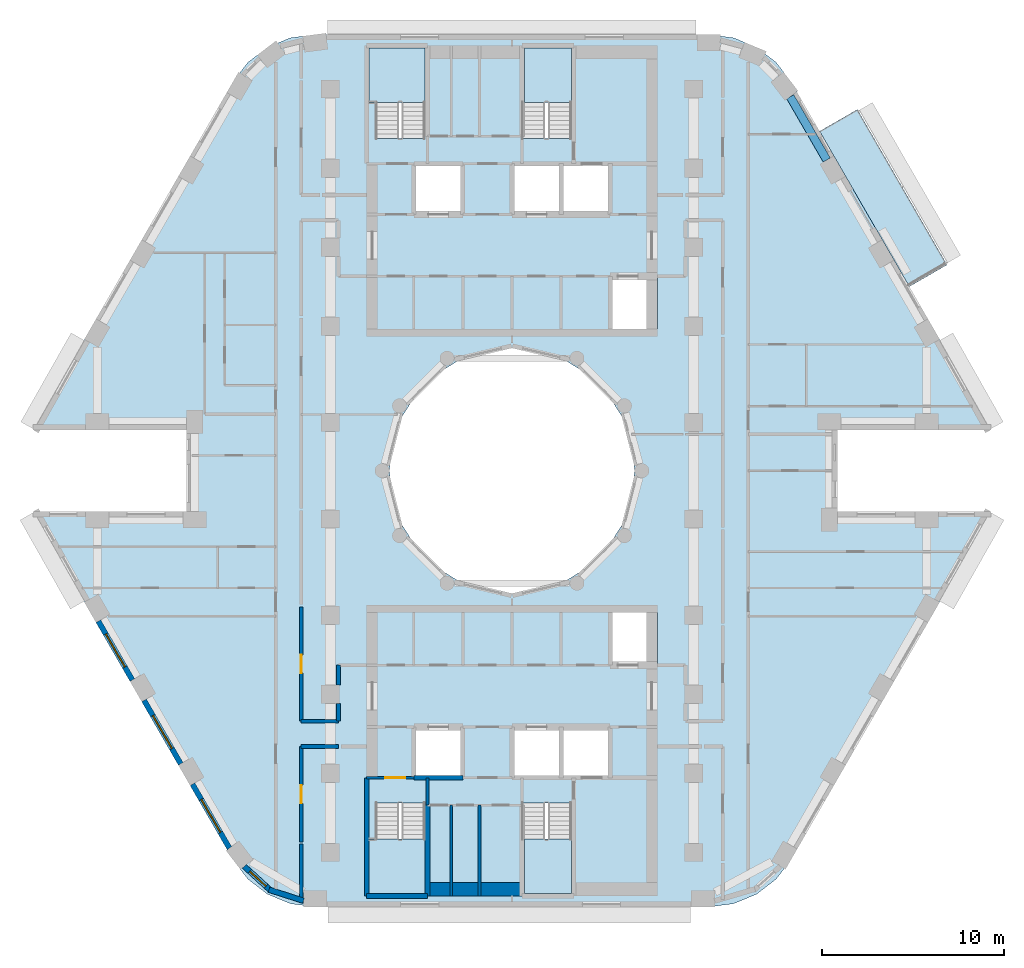
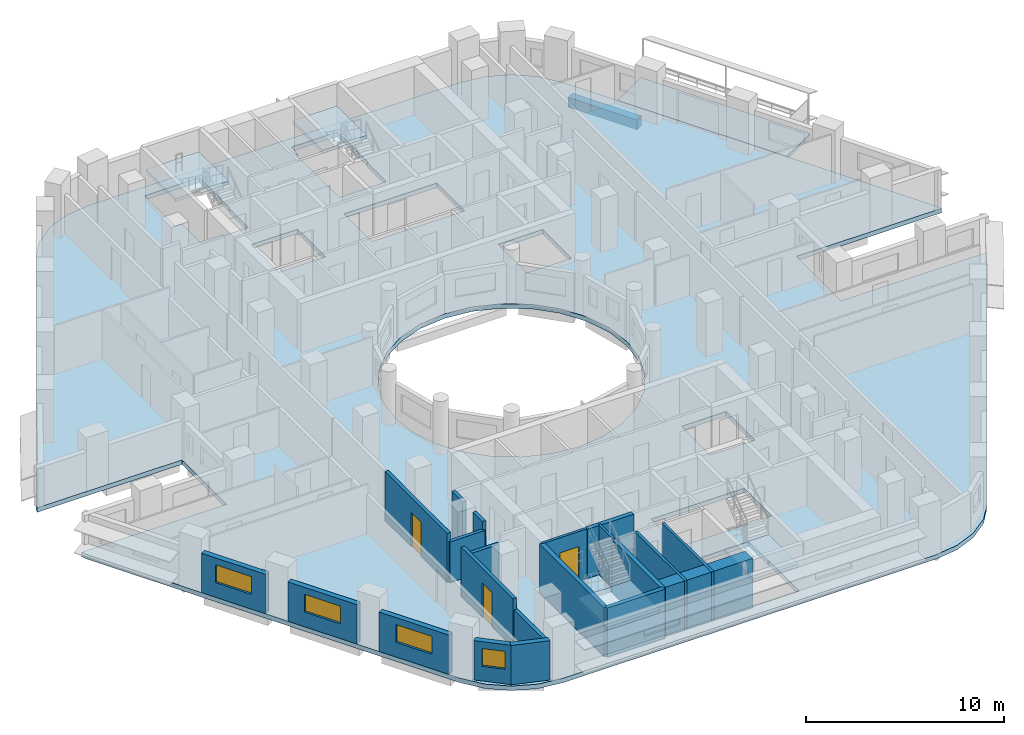
# One storey, part 2 of 14: 21 walls, 6 slabs, 4 windows, 3 doors, 1 beam, 7 openings, 4 elements without a shape of their own.
"""IFC4 building model written with IfcOpenShell, lengths in metres."""

from ifc_helpers import new_model, si_unit, direction, frame, frame_2d, origin, origin_2d, place, context, subcontext, project, spatial, polyline, rectangle, outline, extrude, material, layer, layer_set, material_profile, profile_set, type_object, element, fill, aggregate, save


model = new_model("IFC4")

# Units and contexts
model_context = context("Model", 3, precision=1e-05, world=origin(), true_north=direction((0.0, 1.0)))
body_context = subcontext(model_context, "Body", "Model", "MODEL_VIEW")
ifc_project = project(units=[si_unit("LENGTHUNIT", "METRE"), si_unit("AREAUNIT", "SQUARE_METRE"), si_unit("VOLUMEUNIT", "CUBIC_METRE"), si_unit("PLANEANGLEUNIT", "RADIAN"), si_unit("MASSUNIT", "GRAM", prefix="KILO")], contexts=[model_context])

# Site, building, storey
site_placement = place(None, origin())
site = spatial("IfcSite", under=ifc_project, at=site_placement, CompositionType="ELEMENT")
building_placement = place(site_placement, origin())
building = spatial("IfcBuilding", under=site, at=building_placement, Name="Nakaniwa Court", CompositionType="ELEMENT")
storey_placement = place(building_placement, frame((0.0, 0.0, 160.199951171875)))
storey = spatial("IfcBuildingStorey", under=building, at=storey_placement, Name="L42", CompositionType="ELEMENT", Elevation=160.199951171875)

# Beam
ifc_material_1 = material(Name="Concrete C80/100", Category="concrete")
ifc_material_profile = material_profile(ifc_material_1, rectangle(XDim=0.449951171875, YDim=0.60009765625, at=origin_2d()), Name="Concrete C80/100 RC 450x600 spandrel beam")
ifc_profile_set = profile_set([ifc_material_profile], Name="Concrete C80/100")
beam_type = type_object("IfcBeamType", Name="Concrete C80/100 RC 450x600 spandrel beam", PredefinedType="BEAM", material=ifc_profile_set)
beam_placement = place(storey_placement, frame((97.320556640625, 97.10009765625, -0.574951171875), z_axis=(-0.500018573463, 0.866014680125, 0.0), x_axis=(-0.866014680125, -0.500018573463, 0.0)))
element("IfcBeam", 1, at=beam_placement, inside=storey, type_object=beam_type, Name="SPANDREL BEAM", PredefinedType="BEAM", context=body_context, shape_type="SweptSolid", body=[
    extrude(rectangle(XDim=0.449951171875, YDim=0.60009765625, at=origin_2d()), origin(), (0.0, 0.0, 1.0), 4.020263671875),
])

# Slabs
ifc_material_2 = material(Name="Charcoal ceramic paver")
ifc_layer_1 = layer(ifc_material_2, 0.02, Name="Ceramic paver")
ifc_material_3 = material(Name="Cement sand screed")
ifc_layer_2 = layer(ifc_material_3, 0.03, Name="Falls screed")
ifc_material_4 = material(Name="Concrete C40/50", Category="concrete")
ifc_layer_3 = layer(ifc_material_4, 0.15, Name="Balcony slab")
ifc_layer_set_1 = layer_set([ifc_layer_1, ifc_layer_2, ifc_layer_3], Name="Concrete C40/50 balcony slab with ceramic paver finish")
slab_type_1 = type_object("IfcSlabType", Name="Balcony slab 200", PredefinedType="FLOOR", material=ifc_layer_set_1)
slab_1_placement = place(storey_placement, frame((0.0, 0.0, -0.25)))
element("IfcSlab", 2, at=slab_1_placement, inside=storey, type_object=slab_type_1, Name="L42 balcony 01", PredefinedType="FLOOR", context=body_context, shape_type="SweptSolid", body=[
    extrude(outline(polyline([(101.86328125, 90.1318359375), (96.927734375, 98.680419921875), (99.006103515625, 99.88037109375), (103.941650390625, 91.331787109375), (101.86328125, 90.1318359375)])), origin(), (0.0, 0.0, 1.0), 0.199951171875),
])
ifc_layer_4 = layer(ifc_material_1, 0.27490234375)
ifc_layer_set_2 = layer_set([ifc_layer_4], Name="Concrete C80/100")
slab_type_2 = type_object("IfcSlabType", Name="Concrete C80/100 post tensioned floor slab 275", PredefinedType="FLOOR", material=ifc_layer_set_2)
slab_2_placement = place(storey_placement, frame((0.0, 0.0, -0.27490234375)))
element("IfcSlab", 3, at=slab_2_placement, inside=storey, type_object=slab_type_2, Name="FLOOR SLAB", PredefinedType="FLOOR", context=body_context, shape_type="SweptSolid", body=[
    extrude(outline(polyline([(97.908447265625, 82.25), (106.356689453125, 82.25), (106.211669921875, 82.60009765625), (95.357421875, 101.39990234375), (94.531005859375, 102.47705078125), (93.4541015625, 103.30322265625), (92.199951171875, 103.82275390625), (90.854248046875, 104.0), (69.145751953125, 104.0), (67.800048828125, 103.82275390625), (66.5458984375, 103.30322265625), (65.468994140625, 102.47705078125), (64.642578125, 101.39990234375), (53.788330078125, 82.60009765625), (53.643310546875, 82.25), (62.091552734375, 82.25), (62.091552734375, 77.75), (53.643310546875, 77.75), (53.788330078125, 77.39990234375), (64.642578125, 58.60009765625), (65.468994140625, 57.52294921875), (66.5458984375, 56.69677734375), (67.800048828125, 56.17724609375), (69.145751953125, 56.0), (90.854248046875, 56.0), (92.199951171875, 56.17724609375), (93.4541015625, 56.69677734375), (94.531005859375, 57.52294921875), (95.357421875, 58.60009765625), (106.211669921875, 77.39990234375), (106.356689453125, 77.75), (97.908447265625, 77.75), (97.908447265625, 82.25)]), holes=[polyline([(81.501953125, 86.580810546875), (80.0, 86.75), (78.498046875, 86.580810546875), (77.0712890625, 86.08154296875), (75.79150390625, 85.27734375), (74.72265625, 84.20849609375), (73.91845703125, 82.9287109375), (73.419189453125, 81.501953125), (73.25, 80.0), (73.419189453125, 78.498046875), (73.91845703125, 77.0712890625), (74.72265625, 75.79150390625), (75.79150390625, 74.72265625), (77.0712890625, 73.91845703125), (78.498046875, 73.419189453125), (80.0, 73.25), (81.501953125, 73.419189453125), (82.9287109375, 73.91845703125), (84.20849609375, 74.72265625), (85.27734375, 75.79150390625), (86.08154296875, 77.0712890625), (86.580810546875, 78.498046875), (86.75, 80.0), (86.580810546875, 81.501953125), (86.08154296875, 82.9287109375), (85.27734375, 84.20849609375), (84.20849609375, 85.27734375), (82.9287109375, 86.08154296875), (81.501953125, 86.580810546875)]), polyline([(72.47509765625, 61.7099609375), (72.47509765625, 59.764892578125), (72.0849609375, 59.764892578125), (72.0849609375, 56.68505859375), (75.264892578125, 56.68505859375), (75.264892578125, 59.764892578125), (75.22509765625, 59.764892578125), (75.22509765625, 61.7099609375), (72.47509765625, 61.7099609375)]), polyline([(77.300048828125, 65.89990234375), (74.60009765625, 65.89990234375), (74.60009765625, 63.10009765625), (77.300048828125, 63.10009765625), (77.300048828125, 65.89990234375)]), polyline([(80.0, 65.89990234375), (80.0, 63.10009765625), (82.699951171875, 63.10009765625), (85.39990234375, 63.10009765625), (85.39990234375, 65.89990234375), (82.699951171875, 65.89990234375), (80.0, 65.89990234375)]), polyline([(77.300048828125, 96.89990234375), (74.60009765625, 96.89990234375), (74.60009765625, 94.10009765625), (77.300048828125, 94.10009765625), (77.300048828125, 96.89990234375)]), polyline([(80.0, 96.89990234375), (80.0, 94.10009765625), (82.699951171875, 94.10009765625), (85.39990234375, 94.10009765625), (85.39990234375, 96.89990234375), (82.699951171875, 96.89990234375), (80.0, 96.89990234375)]), polyline([(75.264892578125, 100.235107421875), (75.264892578125, 103.31494140625), (72.0849609375, 103.31494140625), (72.0849609375, 100.235107421875), (72.47509765625, 100.235107421875), (72.47509765625, 98.2900390625), (75.22509765625, 98.2900390625), (75.22509765625, 100.235107421875), (75.264892578125, 100.235107421875)]), polyline([(83.27490234375, 61.7099609375), (80.52490234375, 61.7099609375), (80.52490234375, 57.324951171875), (80.635009765625, 57.324951171875), (80.635009765625, 56.68505859375), (83.31494140625, 56.68505859375), (83.31494140625, 59.764892578125), (83.27490234375, 59.764892578125), (83.27490234375, 61.7099609375)]), polyline([(88.0, 72.199951171875), (85.39990234375, 72.199951171875), (85.39990234375, 69.300048828125), (88.0, 69.300048828125), (88.0, 72.199951171875)]), polyline([(88.0, 90.699951171875), (85.39990234375, 90.699951171875), (85.39990234375, 87.800048828125), (88.0, 87.800048828125), (88.0, 90.699951171875)]), polyline([(83.31494140625, 100.235107421875), (83.31494140625, 103.31494140625), (80.635009765625, 103.31494140625), (80.635009765625, 102.675048828125), (80.52490234375, 102.675048828125), (80.52490234375, 98.2900390625), (83.27490234375, 98.2900390625), (83.27490234375, 100.235107421875), (83.31494140625, 100.235107421875)])]), origin(), (0.0, 0.0, 1.0), 0.27490234375),
])

# Stair, slab
stair_type = type_object("IfcStairType", Name="Dog leg stair 1300 wide 18 risers", PredefinedType="HALF_TURN_STAIR", material=ifc_material_1)
stair_1_placement = place(storey_placement, origin())
stair_1 = element("IfcStair", 4, at=stair_1_placement, inside=storey, type_object=stair_type, Name="L42 Stair ST1", PredefinedType="HALF_TURN_STAIR")
ifc_layer_5 = layer(ifc_material_1, 0.199951171875)
ifc_layer_set_3 = layer_set([ifc_layer_5], Name="Concrete C80/100")
slab_type_3 = type_object("IfcSlabType", Name="Stair landing concrete", PredefinedType="LANDING", material=ifc_layer_set_3)
slab_3_placement = place(storey_placement, frame((0.0, 0.0, 1.449951171875)))
slab_3 = element("IfcSlab", 5, at=slab_3_placement, type_object=slab_type_3, Name="ST1 landing 1", PredefinedType="LANDING", context=body_context, shape_type="SweptSolid", body=[
    extrude(outline(polyline([(75.22509765625, 100.27490234375), (75.22509765625, 103.27490234375), (72.125, 103.27490234375), (72.125, 100.27490234375), (75.22509765625, 100.27490234375)])), origin(), (0.0, 0.0, 1.0), 0.2001953125),
])
aggregate(stair_1, [slab_3])

stair_2_placement = place(storey_placement, origin())
stair_2 = element("IfcStair", 6, at=stair_2_placement, inside=storey, type_object=stair_type, Name="L42 Stair ST2", PredefinedType="HALF_TURN_STAIR")
slab_4_placement = place(storey_placement, frame((0.0, 0.0, 1.449951171875)))
slab_4 = element("IfcSlab", 7, at=slab_4_placement, type_object=slab_type_3, Name="ST2 landing 1", PredefinedType="LANDING", context=body_context, shape_type="SweptSolid", body=[
    extrude(outline(polyline([(83.27490234375, 100.27490234375), (83.27490234375, 103.27490234375), (80.675048828125, 103.27490234375), (80.675048828125, 100.27490234375), (83.27490234375, 100.27490234375)])), origin(), (0.0, 0.0, 1.0), 0.2001953125),
])
aggregate(stair_2, [slab_4])

stair_3_placement = place(storey_placement, origin())
stair_3 = element("IfcStair", 8, at=stair_3_placement, inside=storey, type_object=stair_type, Name="L42 Stair ST3", PredefinedType="HALF_TURN_STAIR")
slab_5_placement = place(storey_placement, frame((0.0, 0.0, 1.449951171875)))
slab_5 = element("IfcSlab", 9, at=slab_5_placement, type_object=slab_type_3, Name="ST3 landing 1", PredefinedType="LANDING", context=body_context, shape_type="SweptSolid", body=[
    extrude(outline(polyline([(75.22509765625, 56.72509765625), (75.22509765625, 59.72509765625), (72.125, 59.72509765625), (72.125, 56.72509765625), (75.22509765625, 56.72509765625)])), origin(), (0.0, 0.0, 1.0), 0.2001953125),
])
aggregate(stair_3, [slab_5])

stair_4_placement = place(storey_placement, origin())
stair_4 = element("IfcStair", 10, at=stair_4_placement, inside=storey, type_object=stair_type, Name="L42 Stair ST4", PredefinedType="HALF_TURN_STAIR")
slab_6_placement = place(storey_placement, frame((0.0, 0.0, 1.449951171875)))
slab_6 = element("IfcSlab", 11, at=slab_6_placement, type_object=slab_type_3, Name="ST4 landing 1", PredefinedType="LANDING", context=body_context, shape_type="SweptSolid", body=[
    extrude(outline(polyline([(83.27490234375, 56.72509765625), (83.27490234375, 59.72509765625), (80.675048828125, 59.72509765625), (80.675048828125, 56.72509765625), (83.27490234375, 56.72509765625)])), origin(), (0.0, 0.0, 1.0), 0.2001953125),
])
aggregate(stair_4, [slab_6])

# Walls
ifc_material_5 = material(Name="Acoustic double stud partition")
ifc_layer_6 = layer(ifc_material_5, 0.199951171875)
ifc_layer_set_4 = layer_set([ifc_layer_6], Name="Acoustic double stud partition")
wall_type_1 = type_object("IfcWallType", Name="Acoustic double stud partition 200", PredefinedType="PARTITIONING", material=ifc_layer_set_4)
wall_1_placement = place(storey_placement, frame((68.39990234375, 64.824951171875, 0.0), z_axis=(0.0, 0.0, 1.0), x_axis=(1.0, 0.0, 0.0)))
element("IfcWall", 12, at=wall_1_placement, inside=storey, type_object=wall_type_1, Name="Partition PW-081", PredefinedType="PARTITIONING", context=body_context, shape_type="SweptSolid", body=[
    extrude(rectangle(XDim=2.06298828125, YDim=0.199951171875, at=frame_2d((1.031494140625, 0.0))), origin(), (0.0, 0.0, 1.0), 2.505126953125),
])
wall_2_placement = place(storey_placement, frame((68.39990234375, 66.22509765625, 0.0), z_axis=(0.0, 0.0, 1.0), x_axis=(1.0, 0.0, 0.0)))
element("IfcWall", 13, at=wall_2_placement, inside=storey, type_object=wall_type_1, Name="Partition PW-092", PredefinedType="PARTITIONING", context=body_context, shape_type="SweptSolid", body=[
    extrude(rectangle(XDim=2.050048828125, YDim=0.199951171875, at=frame_2d((1.02490234375, 0.0))), origin(), (0.0, 0.0, 1.0), 2.505126953125),
])
wall_3_placement = place(storey_placement, frame((68.39990234375, 56.40087890625, 0.0), z_axis=(0.0, 0.0, 1.0), x_axis=(0.0, 1.0, 0.0)))
element("IfcWall", 14, at=wall_3_placement, inside=storey, type_object=wall_type_1, Name="Partition PW-102", PredefinedType="PARTITIONING", context=body_context, shape_type="SweptSolid", body=[
    extrude(rectangle(XDim=3.06201171875, YDim=0.199951171875, at=frame_2d((1.531005859375, 0.0))), origin(), (0.0, 0.0, 1.0), 2.405029296875),
])

# Wall, opening, door
wall_4_placement = place(storey_placement, frame((68.39990234375, 64.824951171875, 0.0), z_axis=(0.0, 0.0, 1.0), x_axis=(0.0, -1.0, 0.0)))
wall_4 = element("IfcWall", 15, at=wall_4_placement, inside=storey, type_object=wall_type_1, Name="Partition PW-103", PredefinedType="PARTITIONING", context=body_context, shape_type="SweptSolid", body=[
    extrude(rectangle(XDim=5.247802734375, YDim=0.199951171875, at=frame_2d((2.6240234375, 0.0))), origin(), (0.0, 0.0, 1.0), 3.025146484375),
])
opening_1_placement = place(wall_4_placement, frame((2.123046875, 0.0, 0.0)))
opening_1 = element("IfcOpeningElement", 16, at=opening_1_placement, cuts=wall_4, Name="Opening D-02-04", PredefinedType="OPENING", context=body_context, shape_type="SweptSolid", body=[
    extrude(rectangle(XDim=1.0, YDim=2.10009765625, at=frame_2d((0.5, 1.050048828125))), frame((0.0, 0.10986328125, 0.0), z_axis=(0.0, -1.0, 0.0), x_axis=(1.0, 0.0, 0.0)), (0.0, 0.0, 1.0), 0.219970703125),
])
ifc_material_6 = material(Name="Solid core timber door set, black veneer", Category="wood")
door_type_1 = type_object("IfcDoorType", Name="Internal door 1000", OperationType="NOTDEFINED", PredefinedType="DOOR", material=ifc_material_6)
door_1_placement = place(opening_1_placement, origin())
door_1 = element("IfcDoor", 17, at=door_1_placement, inside=storey, type_object=door_type_1, Name="Door D-02-04 L42-041", OperationType="SINGLE_SWING_RIGHT", OverallHeight=2.10009765625, OverallWidth=1.0, PredefinedType="DOOR", context=body_context, shape_type="SweptSolid", body=[
    extrude(rectangle(XDim=1.0, YDim=2.10009765625, at=frame_2d((0.5, 1.050048828125))), frame((0.0, 0.02490234375, 0.0), z_axis=(0.0, -1.0, 0.0), x_axis=(1.0, 0.0, 0.0)), (0.0, 0.0, 1.0), 0.050048828125),
])
fill(opening_1, door_1)

wall_5_placement = place(storey_placement, frame((68.39990234375, 72.5126953125, 0.0), z_axis=(0.0, 0.0, 1.0), x_axis=(0.0, -1.0, 0.0)))
wall_5 = element("IfcWall", 18, at=wall_5_placement, inside=storey, type_object=wall_type_1, Name="Partition PW-104", PredefinedType="PARTITIONING", context=body_context, shape_type="SweptSolid", body=[
    extrude(rectangle(XDim=6.28759765625, YDim=0.199951171875, at=frame_2d((3.143798828125, 0.0))), origin(), (0.0, 0.0, 1.0), 3.025146484375),
])
opening_2_placement = place(wall_5_placement, frame((2.64501953125, 0.0, 0.0)))
opening_2 = element("IfcOpeningElement", 19, at=opening_2_placement, cuts=wall_5, Name="Opening D-02-06", PredefinedType="OPENING", context=body_context, shape_type="SweptSolid", body=[
    extrude(rectangle(XDim=1.0, YDim=2.10009765625, at=frame_2d((0.5, 1.050048828125))), frame((0.0, 0.10986328125, 0.0), z_axis=(0.0, -1.0, 0.0), x_axis=(1.0, 0.0, 0.0)), (0.0, 0.0, 1.0), 0.219970703125),
])
door_2_placement = place(opening_2_placement, origin())
door_2 = element("IfcDoor", 20, at=door_2_placement, inside=storey, type_object=door_type_1, Name="Door D-02-06 L42-043", OperationType="SINGLE_SWING_RIGHT", OverallHeight=2.10009765625, OverallWidth=1.0, PredefinedType="DOOR", context=body_context, shape_type="SweptSolid", body=[
    extrude(rectangle(XDim=1.0, YDim=2.10009765625, at=frame_2d((0.5, 1.050048828125))), frame((0.0, 0.02490234375, 0.0), z_axis=(0.0, -1.0, 0.0), x_axis=(1.0, 0.0, 0.0)), (0.0, 0.0, 1.0), 0.050048828125),
])
fill(opening_2, door_2)

# Walls
wall_6_placement = place(storey_placement, frame((70.449951171875, 66.22509765625, 0.0), z_axis=(0.0, 0.0, 1.0), x_axis=(0.0, 1.0, 0.0)))
element("IfcWall", 21, at=wall_6_placement, inside=storey, type_object=wall_type_1, Name="Partition PW-111", PredefinedType="PARTITIONING", context=body_context, shape_type="SweptSolid", body=[
    extrude(rectangle(XDim=0.957763671875, YDim=0.199951171875, at=frame_2d((0.47900390625, 0.0))), origin(), (0.0, 0.0, 1.0), 3.025146484375),
])
wall_7_placement = place(storey_placement, frame((70.449951171875, 68.21728515625, 0.0), z_axis=(0.0, 0.0, 1.0), x_axis=(0.0, 1.0, 0.0)))
element("IfcWall", 22, at=wall_7_placement, inside=storey, type_object=wall_type_1, Name="Partition PW-112", PredefinedType="PARTITIONING", context=body_context, shape_type="SweptSolid", body=[
    extrude(rectangle(XDim=1.082763671875, YDim=0.199951171875, at=frame_2d((0.54150390625, 0.0))), origin(), (0.0, 0.0, 1.0), 3.025146484375),
])

# Wall, opening, window
ifc_material_7 = material(Name="Charcoal ceramic cladding")
ifc_layer_7 = layer(ifc_material_7, 0.02, Name="Ceramic cladding")
ifc_material_8 = material(Name="Ventilated air cavity")
ifc_layer_8 = layer(ifc_material_8, 0.04, ventilated=True, Name="Ventilated cavity")
ifc_material_9 = material(Name="Mineral wool insulation")
ifc_layer_9 = layer(ifc_material_9, 0.1, Name="Insulation")
ifc_material_10 = material(Name="Cement bonded sheathing board")
ifc_layer_10 = layer(ifc_material_10, 0.012, Name="Sheathing")
ifc_material_11 = material(Name="Cold-formed galvanised stud frame with mineral wool infill")
ifc_layer_11 = layer(ifc_material_11, 0.1, Name="Stud frame")
ifc_material_12 = material(Name="Fire-rated gypsum plasterboard lining")
ifc_layer_12 = layer(ifc_material_12, 0.028, Name="Lining")
ifc_layer_set_5 = layer_set([ifc_layer_7, ifc_layer_8, ifc_layer_9, ifc_layer_10, ifc_layer_11, ifc_layer_12], Name="Charcoal ceramic faced external wall system")
wall_type_2 = type_object("IfcWallType", Name="Black ceramic faced external wall 300", PredefinedType="SOLIDWALL", material=ifc_layer_set_5)
wall_8_placement = place(storey_placement, frame((57.240478515625, 71.720947265625, 0.0), z_axis=(0.0, 0.0, 1.0), x_axis=(0.499933594891, -0.866063739398, 0.0)))
wall_8 = element("IfcWall", 23, at=wall_8_placement, inside=storey, type_object=wall_type_2, Name="L42 external wall 21", PredefinedType="SOLIDWALL", context=body_context, shape_type="SweptSolid", body=[
    extrude(rectangle(XDim=3.73681640625, YDim=0.300048828125, at=frame_2d((1.868408203125, 0.0))), origin(), (0.0, 0.0, 1.0), 2.425048828125),
])
opening_3_placement = place(wall_8_placement, frame((0.818359375, 0.0, 0.89990234375)))
opening_3 = element("IfcOpeningElement", 24, at=opening_3_placement, cuts=wall_8, Name="Opening W7.19", PredefinedType="OPENING", context=body_context, shape_type="SweptSolid", body=[
    extrude(rectangle(XDim=2.10009765625, YDim=1.10009765625, at=frame_2d((1.050048828125, 0.550048828125))), frame((0.0, 0.159912109375, 0.0), z_axis=(0.0, -1.0, 0.0), x_axis=(1.0, 0.0, 0.0)), (0.0, 0.0, 1.0), 0.320068359375),
])
ifc_material_13 = material(Name="Black anodised aluminium frame with dark low-E laminated double glazing", Category="aluminium")
window_type_1 = type_object("IfcWindowType", Name="Dark glass window 2100x1100 sill 900", PartitioningType="SINGLE_PANEL", PredefinedType="WINDOW", material=ifc_material_13)
window_1_placement = place(opening_3_placement, origin())
window_1 = element("IfcWindow", 25, at=window_1_placement, inside=storey, type_object=window_type_1, Name="L42 habitable room window 21-0", OverallHeight=1.10009765625, OverallWidth=2.10009765625, PartitioningType="SINGLE_PANEL", PredefinedType="WINDOW", context=body_context, shape_type="SweptSolid", body=[
    extrude(rectangle(XDim=2.10009765625, YDim=1.10009765625, at=frame_2d((1.050048828125, 0.550048828125))), frame((0.0, 0.030029296875, 0.0), z_axis=(0.0, -1.0, 0.0), x_axis=(1.0, 0.0, 0.0)), (0.0, 0.0, 1.0), 0.06005859375),
])
fill(opening_3, window_1)

wall_9_placement = place(storey_placement, frame((59.754638671875, 67.36572265625, 0.0), z_axis=(0.0, 0.0, 1.0), x_axis=(0.500031546601, -0.86600718958, 0.0)))
wall_9 = element("IfcWall", 26, at=wall_9_placement, inside=storey, type_object=wall_type_2, Name="L42 external wall 22", PredefinedType="SOLIDWALL", context=body_context, shape_type="SweptSolid", body=[
    extrude(rectangle(XDim=4.033935546875, YDim=0.300048828125, at=frame_2d((2.01708984375, 0.0))), origin(), (0.0, 0.0, 1.0), 2.425048828125),
])
opening_4_placement = place(wall_9_placement, frame((0.966796875, 0.0, 0.89990234375)))
opening_4 = element("IfcOpeningElement", 27, at=opening_4_placement, cuts=wall_9, Name="Opening W7.20", PredefinedType="OPENING", context=body_context, shape_type="SweptSolid", body=[
    extrude(rectangle(XDim=2.10009765625, YDim=1.10009765625, at=frame_2d((1.050048828125, 0.550048828125))), frame((0.0, 0.159912109375, 0.0), z_axis=(0.0, -1.0, 0.0), x_axis=(1.0, 0.0, 0.0)), (0.0, 0.0, 1.0), 0.320068359375),
])
window_2_placement = place(opening_4_placement, origin())
window_2 = element("IfcWindow", 28, at=window_2_placement, inside=storey, type_object=window_type_1, Name="L42 habitable room window 22-0", OverallHeight=1.10009765625, OverallWidth=2.10009765625, PartitioningType="SINGLE_PANEL", PredefinedType="WINDOW", context=body_context, shape_type="SweptSolid", body=[
    extrude(rectangle(XDim=2.10009765625, YDim=1.10009765625, at=frame_2d((1.050048828125, 0.550048828125))), frame((0.0, 0.030029296875, 0.0), z_axis=(0.0, -1.0, 0.0), x_axis=(1.0, 0.0, 0.0)), (0.0, 0.0, 1.0), 0.06005859375),
])
fill(opening_4, window_2)

wall_10_placement = place(storey_placement, frame((62.417724609375, 62.75341796875, 0.0), z_axis=(0.0, 0.0, 1.0), x_axis=(0.500018589245, -0.866014671013, 0.0)))
wall_10 = element("IfcWall", 29, at=wall_10_placement, inside=storey, type_object=wall_type_2, Name="L42 external wall 23", PredefinedType="SOLIDWALL", context=body_context, shape_type="SweptSolid", body=[
    extrude(rectangle(XDim=4.067626953125, YDim=0.300048828125, at=frame_2d((2.03369140625, 0.0))), origin(), (0.0, 0.0, 1.0), 2.425048828125),
])
opening_5_placement = place(wall_10_placement, frame((0.97265625, 0.0, 0.89990234375)))
opening_5 = element("IfcOpeningElement", 30, at=opening_5_placement, cuts=wall_10, Name="Opening W7.21", PredefinedType="OPENING", context=body_context, shape_type="SweptSolid", body=[
    extrude(rectangle(XDim=2.10009765625, YDim=1.10009765625, at=frame_2d((1.050048828125, 0.550048828125))), frame((0.0, 0.159912109375, 0.0), z_axis=(0.0, -1.0, 0.0), x_axis=(1.0, 0.0, 0.0)), (0.0, 0.0, 1.0), 0.320068359375),
])
window_3_placement = place(opening_5_placement, origin())
window_3 = element("IfcWindow", 31, at=window_3_placement, inside=storey, type_object=window_type_1, Name="L42 habitable room window 23-0", OverallHeight=1.10009765625, OverallWidth=2.10009765625, PartitioningType="SINGLE_PANEL", PredefinedType="WINDOW", context=body_context, shape_type="SweptSolid", body=[
    extrude(rectangle(XDim=2.10009765625, YDim=1.10009765625, at=frame_2d((1.050048828125, 0.550048828125))), frame((0.0, 0.030029296875, 0.0), z_axis=(0.0, -1.0, 0.0), x_axis=(1.0, 0.0, 0.0)), (0.0, 0.0, 1.0), 0.06005859375),
])
fill(opening_5, window_3)

wall_11_placement = place(storey_placement, frame((65.26904296875, 58.229248046875, 0.0), z_axis=(0.0, 0.0, 1.0), x_axis=(0.737487298625, -0.675361002995, 0.0)))
wall_11 = element("IfcWall", 32, at=wall_11_placement, inside=storey, type_object=wall_type_2, Name="L42 external wall 24", PredefinedType="SOLIDWALL", context=body_context, shape_type="SweptSolid", body=[
    extrude(rectangle(XDim=1.9765625, YDim=0.300048828125, at=frame_2d((0.98828125, 0.0))), origin(), (0.0, 0.0, 1.0), 2.425048828125),
])
opening_6_placement = place(wall_11_placement, frame((0.415283203125, 0.0, 0.89990234375)))
opening_6 = element("IfcOpeningElement", 33, at=opening_6_placement, cuts=wall_11, Name="Opening W6.22", PredefinedType="OPENING", context=body_context, shape_type="SweptSolid", body=[
    extrude(rectangle(XDim=1.199951171875, YDim=1.10009765625, at=frame_2d((0.60009765625, 0.550048828125))), frame((0.0, 0.159912109375, 0.0), z_axis=(0.0, -1.0, 0.0), x_axis=(1.0, 0.0, 0.0)), (0.0, 0.0, 1.0), 0.320068359375),
])
window_type_2 = type_object("IfcWindowType", Name="Dark glass window 1200x1100 sill 900", PartitioningType="SINGLE_PANEL", PredefinedType="WINDOW", material=ifc_material_13)
window_4_placement = place(opening_6_placement, origin())
window_4 = element("IfcWindow", 34, at=window_4_placement, inside=storey, type_object=window_type_2, Name="L42 habitable room window 24-0", OverallHeight=1.10009765625, OverallWidth=1.199951171875, PartitioningType="SINGLE_PANEL", PredefinedType="WINDOW", context=body_context, shape_type="SweptSolid", body=[
    extrude(rectangle(XDim=1.199951171875, YDim=1.10009765625, at=frame_2d((0.60009765625, 0.550048828125))), frame((0.0, 0.030029296875, 0.0), z_axis=(0.0, -1.0, 0.0), x_axis=(1.0, 0.0, 0.0)), (0.0, 0.0, 1.0), 0.06005859375),
])
fill(opening_6, window_4)

# Walls
wall_12_placement = place(storey_placement, frame((66.625732421875, 56.94580078125, 0.0), z_axis=(0.0, 0.0, 1.0), x_axis=(0.952201240673, -0.305471434444, 0.0)))
element("IfcWall", 35, at=wall_12_placement, inside=storey, type_object=wall_type_2, Name="L42 external wall 25", PredefinedType="SOLIDWALL", context=body_context, shape_type="SweptSolid", body=[
    extrude(rectangle(XDim=1.998779296875, YDim=0.300048828125, at=frame_2d((0.99951171875, 0.0))), origin(), (0.0, 0.0, 1.0), 2.425048828125),
])
ifc_material_14 = material(Name="Blockwork partition", Category="masonry")
ifc_layer_13 = layer(ifc_material_14, 0.14990234375)
ifc_layer_set_6 = layer_set([ifc_layer_13], Name="Blockwork partition")
wall_type_3 = type_object("IfcWallType", Name="Blockwork partition 150", PredefinedType="PARTITIONING", material=ifc_layer_set_6)
for number, where, z_axis, x_axis, name in (
    (36, (76.64990234375, 56.60009765625, 0.0), (0.0, 0.0, 1.0), (0.0, 1.0, 0.0), "Partition PW-071"),
    (37, (78.2099609375, 56.60009765625, 0.0), (0.0, 0.0, 1.0), (0.0, 1.0, 0.0), "Partition PW-072"),
):
    element("IfcWall", number, at=place(storey_placement, frame(where, z_axis=z_axis, x_axis=x_axis)), inside=storey, type_object=wall_type_3, Name=name, PredefinedType="PARTITIONING", context=body_context, shape_type="SweptSolid", body=[
        extrude(rectangle(XDim=5.0, YDim=0.14990234375, at=frame_2d((2.5, 0.0))), origin(), (0.0, 0.0, 1.0), 3.025146484375),
    ])

# Wall, opening, door
ifc_layer_14 = layer(ifc_material_1, 0.14990234375)
ifc_layer_set_7 = layer_set([ifc_layer_14], Name="Concrete C80/100")
wall_type_4 = type_object("IfcWallType", Name="Concrete core wall 150 C80", PredefinedType="SHEAR", material=ifc_layer_set_7)
wall_13_placement = place(storey_placement, frame((72.0, 63.10009765625, -0.27490234375), z_axis=(0.0, 0.0, 1.0), x_axis=(1.0, 0.0, 0.0)))
wall_13 = element("IfcWall", 38, at=wall_13_placement, inside=storey, type_object=wall_type_4, Name="Core wall SW-53", PredefinedType="SHEAR", context=body_context, shape_type="SweptSolid", body=[
    extrude(rectangle(XDim=2.60009765625, YDim=0.14990234375, at=frame_2d((1.300048828125, 0.0))), origin(), (0.0, 0.0, 1.0), 3.300048828125),
])
opening_7_placement = place(wall_13_placement, frame((1.02001953125, 0.0, 0.27490234375)))
opening_7 = element("IfcOpeningElement", 39, at=opening_7_placement, cuts=wall_13, Name="Opening D-09-02", PredefinedType="OPENING", context=body_context, shape_type="SweptSolid", body=[
    extrude(rectangle(XDim=1.10009765625, YDim=2.10009765625, at=frame_2d((0.550048828125, 1.050048828125))), frame((0.0, 0.0849609375, 0.0), z_axis=(0.0, -1.0, 0.0), x_axis=(1.0, 0.0, 0.0)), (0.0, 0.0, 1.0), 0.169921875),
])
ifc_material_15 = material(Name="Fire rated steel door set", Category="steel")
door_type_2 = type_object("IfcDoorType", Name="Stair door 1100", OperationType="NOTDEFINED", PredefinedType="DOOR", material=ifc_material_15)
door_3_placement = place(opening_7_placement, origin())
door_3 = element("IfcDoor", 40, at=door_3_placement, inside=storey, type_object=door_type_2, Name="Door D-09-02 L42-027", OperationType="SINGLE_SWING_LEFT", OverallHeight=2.10009765625, OverallWidth=1.10009765625, PredefinedType="DOOR", context=body_context, shape_type="SweptSolid", body=[
    extrude(rectangle(XDim=1.10009765625, YDim=2.10009765625, at=frame_2d((0.550048828125, 1.050048828125))), frame((0.0, 0.02490234375, 0.0), z_axis=(0.0, -1.0, 0.0), x_axis=(1.0, 0.0, 0.0)), (0.0, 0.0, 1.0), 0.050048828125),
])
fill(opening_7, door_3)

# Walls
wall_14_placement = place(storey_placement, frame((75.35009765625, 61.596923828125, -0.27490234375), z_axis=(0.0, 0.0, 1.0), x_axis=(0.0, 1.0, 0.0)))
element("IfcWall", 41, at=wall_14_placement, inside=storey, type_object=wall_type_4, Name="Core wall SW-60", PredefinedType="SHEAR", context=body_context, shape_type="SweptSolid", body=[
    extrude(rectangle(XDim=1.503173828125, YDim=0.14990234375, at=frame_2d((0.75146484375, 0.0))), origin(), (0.0, 0.0, 1.0), 3.300048828125),
])
ifc_layer_15 = layer(ifc_material_1, 0.25)
ifc_layer_set_8 = layer_set([ifc_layer_15], Name="Concrete C80/100")
wall_type_5 = type_object("IfcWallType", Name="Concrete core wall 250 C80", PredefinedType="SHEAR", material=ifc_layer_set_8)
wall_15_placement = place(storey_placement, frame((72.0, 56.60009765625, -0.27490234375), z_axis=(0.0, 0.0, 1.0), x_axis=(0.0, 1.0, 0.0)))
element("IfcWall", 42, at=wall_15_placement, inside=storey, type_object=wall_type_5, Name="Core wall SW-62", PredefinedType="SHEAR", context=body_context, shape_type="SweptSolid", body=[
    extrude(rectangle(XDim=6.5, YDim=0.25, at=frame_2d((3.25, 0.0))), origin(), (0.0, 0.0, 1.0), 3.300048828125),
])
wall_16_placement = place(storey_placement, frame((72.0, 56.60009765625, -0.27490234375), z_axis=(0.0, 0.0, 1.0), x_axis=(1.0, 0.0, 0.0)))
element("IfcWall", 43, at=wall_16_placement, inside=storey, type_object=wall_type_5, Name="Core wall SW-63", PredefinedType="SHEAR", context=body_context, shape_type="SweptSolid", body=[
    extrude(rectangle(XDim=3.35009765625, YDim=0.25, at=frame_2d((1.675048828125, 0.0))), origin(), (0.0, 0.0, 1.0), 3.300048828125),
])
ifc_layer_16 = layer(ifc_material_1, 0.75)
ifc_layer_set_9 = layer_set([ifc_layer_16], Name="Concrete C80/100")
wall_type_6 = type_object("IfcWallType", Name="Concrete core wall 750 C80", PredefinedType="SHEAR", material=ifc_layer_set_9)
wall_17_placement = place(storey_placement, frame((75.35009765625, 56.97509765625, -0.27490234375), z_axis=(0.0, 0.0, 1.0), x_axis=(1.0, 0.0, 0.0)))
element("IfcWall", 44, at=wall_17_placement, inside=storey, type_object=wall_type_6, Name="Core wall SW-68", PredefinedType="SHEAR", context=body_context, shape_type="SweptSolid", body=[
    extrude(rectangle(XDim=5.199951171875, YDim=0.75, at=frame_2d((2.60009765625, 0.0))), origin(), (0.0, 0.0, 1.0), 3.300048828125),
])
ifc_layer_17 = layer(ifc_material_1, 0.25)
ifc_layer_set_10 = layer_set([ifc_layer_17], Name="Concrete C80/100")
wall_type_7 = type_object("IfcWallType", Name="Concrete shaft wall 250 C80", PredefinedType="SHEAR", material=ifc_layer_set_10)
wall_18_placement = place(storey_placement, frame((74.60009765625, 63.10009765625, -0.27490234375), z_axis=(0.0, 0.0, 1.0), x_axis=(1.0, 0.0, 0.0)))
element("IfcWall", 45, at=wall_18_placement, inside=storey, type_object=wall_type_7, Name="Core wall SW-55", PredefinedType="SHEAR", context=body_context, shape_type="SweptSolid", body=[
    extrude(rectangle(XDim=2.699951171875, YDim=0.25, at=frame_2d((1.35009765625, 0.0))), origin(), (0.0, 0.0, 1.0), 3.300048828125),
])
wall_19_placement = place(storey_placement, frame((75.35009765625, 56.60009765625, -0.27490234375), z_axis=(0.0, 0.0, 1.0), x_axis=(0.0, 1.0, 0.0)))
element("IfcWall", 46, at=wall_19_placement, inside=storey, type_object=wall_type_7, Name="Core wall SW-61", PredefinedType="SHEAR", context=body_context, shape_type="SweptSolid", body=[
    extrude(rectangle(XDim=5.0029296875, YDim=0.25, at=frame_2d((2.50146484375, 0.0))), origin(), (0.0, 0.0, 1.0), 3.300048828125),
])

save(model, "model.ifc")
